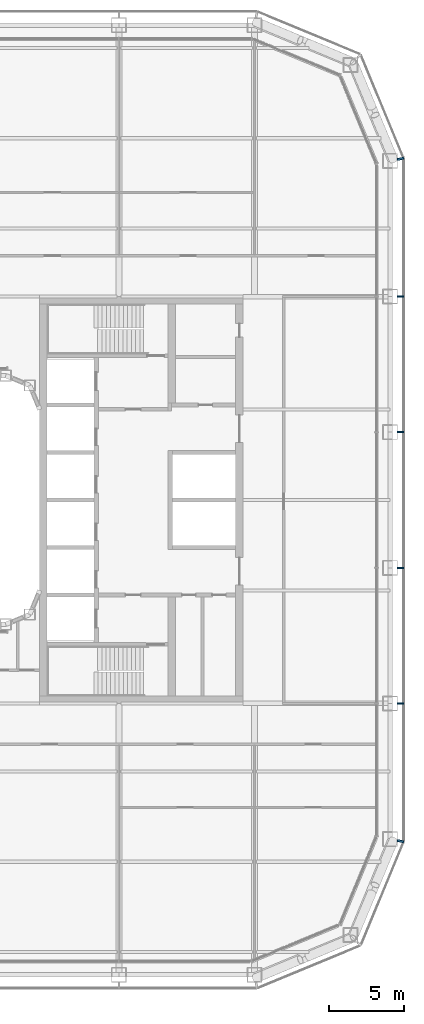
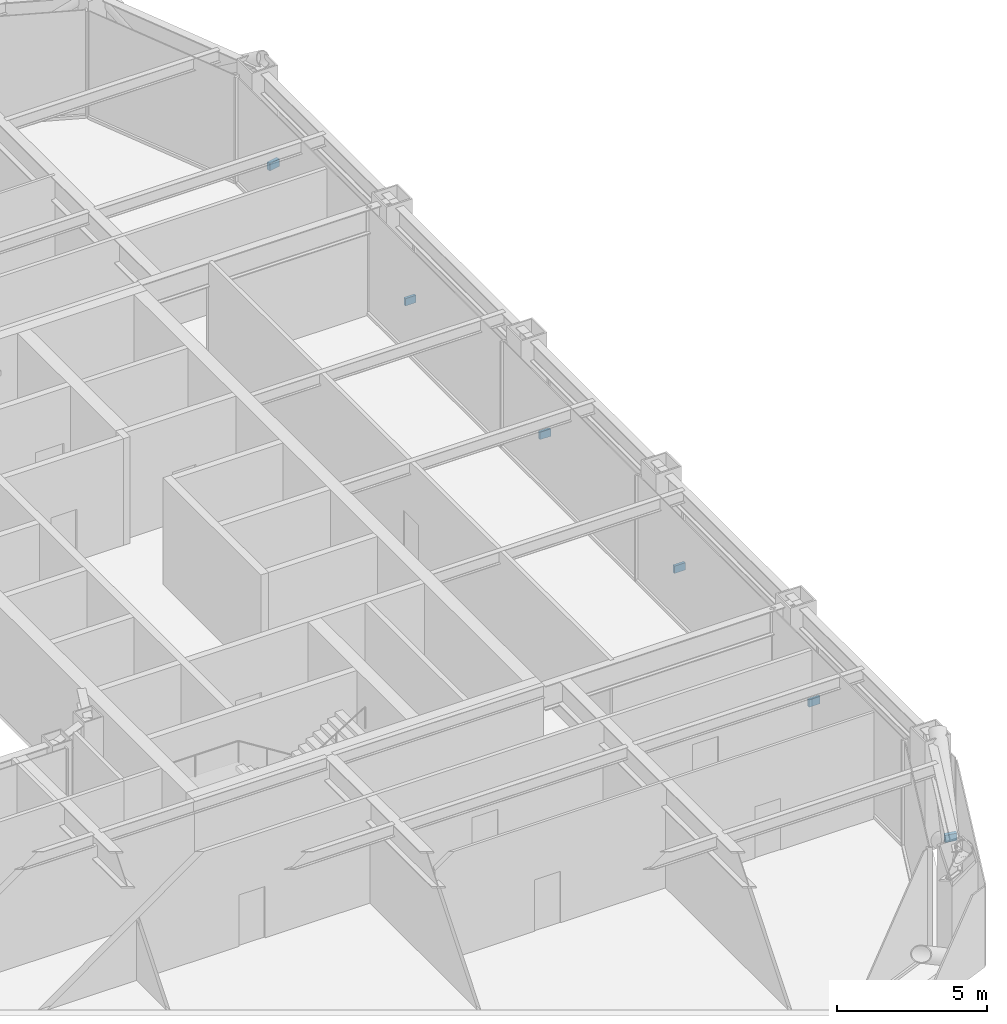
# One storey, part 18 of 24: 6 discrete accessories.
"""IFC4 building model written with IfcOpenShell, lengths in metres."""

from ifc_helpers import new_model, si_unit, direction, frame, origin, origin_2d, place, context, subcontext, project, spatial, rectangle, extrude, material, type_object, element, save


model = new_model("IFC4")

# Units and contexts
model_context = context("Model", 3, precision=1e-05, world=origin(), true_north=direction((0.0, 1.0)))
body_context = subcontext(model_context, "Body", "Model", "MODEL_VIEW")
ifc_project = project(units=[si_unit("LENGTHUNIT", "METRE"), si_unit("AREAUNIT", "SQUARE_METRE"), si_unit("VOLUMEUNIT", "CUBIC_METRE"), si_unit("PLANEANGLEUNIT", "RADIAN"), si_unit("MASSUNIT", "GRAM", prefix="KILO")], contexts=[model_context])

# Site, building, storey
site_placement = place(None, origin())
site = spatial("IfcSite", under=ifc_project, at=site_placement, CompositionType="ELEMENT")
building_placement = place(site_placement, origin())
building = spatial("IfcBuilding", under=site, at=building_placement, Name="Siwar Civic Tower", CompositionType="ELEMENT")
storey_placement = place(building_placement, frame((0.0, 0.0, 76.199951171875)))
storey = spatial("IfcBuildingStorey", under=building, at=storey_placement, Name="L16", CompositionType="ELEMENT", Elevation=76.199951171875)

# Discrete accessories
ifc_material = material(Name="Stainless steel 316", Category="steel")
discrete_accessory_type = type_object("IfcDiscreteAccessoryType", Name="ENV-BRACKET", PredefinedType="BRACKET", material=ifc_material)
for number, where, z_axis, x_axis, name in (
    (1, (32.18994140625, -13.5, -0.14990234375), (0.0, 0.0, 1.0), (1.0, 0.0, 0.0), "Bracket outer skin joint E-01"),
    (2, (32.18994140625, -4.5, -0.14990234375), (0.0, 0.0, 1.0), (1.0, 0.0, 0.0), "Bracket outer skin joint E-02"),
    (3, (32.18994140625, 4.5, -0.14990234375), (0.0, 0.0, 1.0), (1.0, 0.0, 0.0), "Bracket outer skin joint E-03"),
    (4, (32.18994140625, 13.5, -0.14990234375), (0.0, 0.0, 1.0), (1.0, 0.0, 0.0), "Bracket outer skin joint E-04"),
):
    element("IfcDiscreteAccessory", number, at=place(storey_placement, frame(where, z_axis=z_axis, x_axis=x_axis)), inside=storey, type_object=discrete_accessory_type, Name=name, PredefinedType="BRACKET", context=body_context, shape_type="SweptSolid", body=[
        extrude(rectangle(XDim=0.419921875, YDim=0.10009765625, at=origin_2d()), origin(), (0.0, 0.0, 1.0), 0.300048828125),
    ])
for number, where, z_axis, x_axis, name in (
    (5, (32.190185546875, -22.63720703125, -0.14990234375), (0.0, 0.0, 1.0), (0.980785280403, -0.195090322016, 0.0), "Bracket outer skin joint V03"),
    (6, (32.190185546875, 22.63720703125, -0.14990234375), (0.0, 0.0, 1.0), (0.980785280403, 0.195090322016, 0.0), "Bracket outer skin joint V04"),
):
    element("IfcDiscreteAccessory", number, at=place(storey_placement, frame(where, z_axis=z_axis, x_axis=x_axis)), inside=storey, type_object=discrete_accessory_type, Name=name, PredefinedType="BRACKET", context=body_context, shape_type="SweptSolid", body=[
        extrude(rectangle(XDim=0.427734375, YDim=0.13720703125, at=origin_2d()), origin(), (0.0, 0.0, 1.0), 0.300048828125),
    ])

save(model, "model.ifc")
